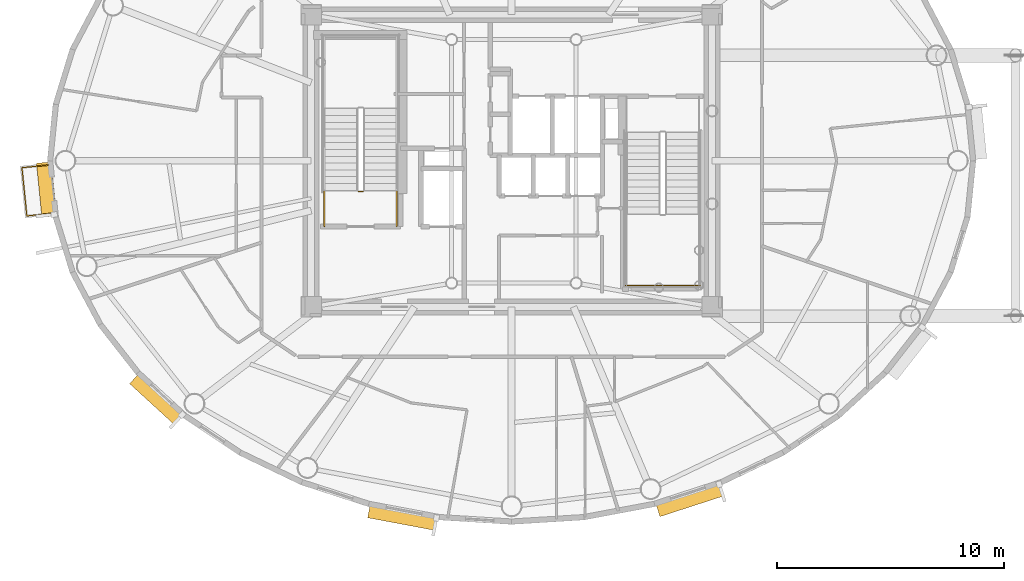
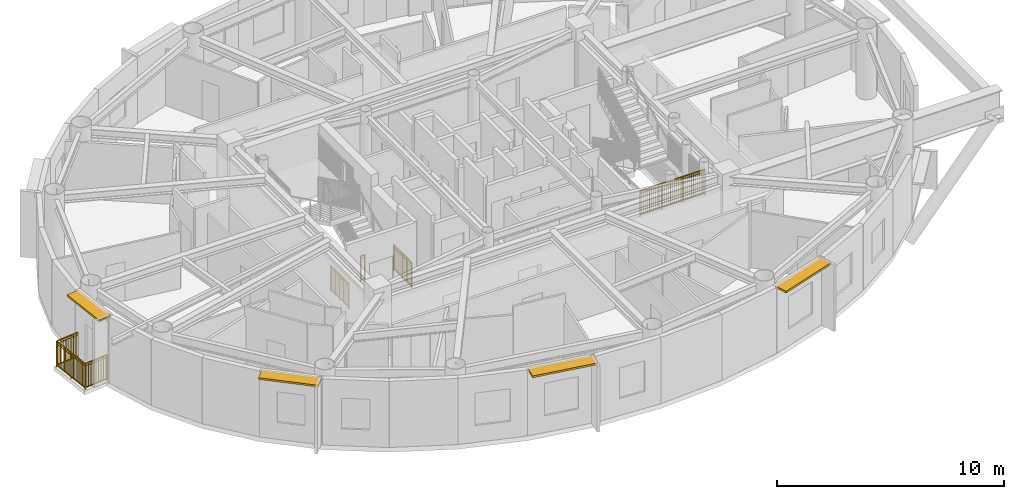
# One storey, part 11 of 17: 5 railings, 4 shading devices.
"""IFC4 building model written with IfcOpenShell, lengths in metres."""

from ifc_helpers import new_model, si_unit, direction, frame, origin, origin_2d, place, context, subcontext, project, spatial, rectangle, extrude, source, transform, mapped, material, layer, layer_set, type_object, element, save


model = new_model("IFC4")

# Units and contexts
model_context = context("Model", 3, precision=1e-05, world=origin(), true_north=direction((0.0, 1.0)))
body_context = subcontext(model_context, "Body", "Model", "MODEL_VIEW")
ifc_project = project(units=[si_unit("LENGTHUNIT", "METRE"), si_unit("AREAUNIT", "SQUARE_METRE"), si_unit("VOLUMEUNIT", "CUBIC_METRE"), si_unit("PLANEANGLEUNIT", "RADIAN"), si_unit("MASSUNIT", "GRAM", prefix="KILO")], contexts=[model_context])

# Site, building, storey
site_placement = place(None, origin())
site = spatial("IfcSite", under=ifc_project, at=site_placement, CompositionType="ELEMENT")
building_placement = place(site_placement, origin())
building = spatial("IfcBuilding", under=site, at=building_placement, Name="Linh Dai School and Residence Tower", CompositionType="ELEMENT")
storey_placement = place(building_placement, frame((0.0, 0.0, 335.39990234375)))
storey = spatial("IfcBuildingStorey", under=building, at=storey_placement, Name="L83", CompositionType="ELEMENT", Elevation=335.39990234375)

# Shading devices
ifc_material_1 = material(Name="Terracotta Ceramic Sunshade", Category="masonry")
ifc_layer = layer(ifc_material_1, 0.10009765625)
ifc_layer_set = layer_set([ifc_layer], Name="Terracotta Ceramic Sunshade")
shading_device_type = type_object("IfcShadingDeviceType", Name="SHD-TC-650", PredefinedType="USERDEFINED", material=ifc_layer_set)
shared_shape_1 = source(origin(), body_context, "Body", "SweptSolid", [
    extrude(rectangle(XDim=2.3994140625, YDim=0.64990234375, at=origin_2d()), origin(), (0.0, 0.0, 1.0), 0.10009765625),
])
shading_device_1_placement = place(storey_placement, frame((15.46630859375, 25.72802734375, 3.429931640625), z_axis=(0.0, 0.0, 1.0), x_axis=(-0.099991763355, 0.994988264886, 0.0)))
element("IfcShadingDevice", 1, at=shading_device_1_placement, inside=storey, type_object=shading_device_type, Name="L83 Terracotta Horizontal Sunshade Band 21", ObjectType="SUNSHADE", PredefinedType="USERDEFINED", context=body_context, shape_type="MappedRepresentation", body=[
    mapped(shared_shape_1, transform((0.0, 0.0, 0.0), x_axis=(1.0, 0.0, 0.0), y_axis=(0.0, 1.0, 0.0), z_axis=(0.0, 0.0, 1.0), scale=1.0)),
])
shared_shape_2 = source(origin(), body_context, "Body", "SweptSolid", [
    extrude(rectangle(XDim=2.7021484375, YDim=0.64990234375, at=origin_2d()), origin(), (0.0, 0.0, 1.0), 0.10009765625),
])
shading_device_2_placement = place(storey_placement, frame((20.3515625, 16.48681640625, 3.429931640625), z_axis=(0.0, 0.0, 1.0), x_axis=(-0.73704750866, 0.675840935412, 0.0)))
element("IfcShadingDevice", 2, at=shading_device_2_placement, inside=storey, type_object=shading_device_type, Name="L83 Terracotta Horizontal Sunshade Band 25", ObjectType="SUNSHADE", PredefinedType="USERDEFINED", context=body_context, shape_type="MappedRepresentation", body=[
    mapped(shared_shape_2, transform((0.0, 0.0, 0.0), x_axis=(1.0, 0.0, 0.0), y_axis=(0.0, 1.0, 0.0), z_axis=(0.0, 0.0, 1.0), scale=1.0)),
])
shared_shape_3 = source(origin(), body_context, "Body", "SweptSolid", [
    extrude(rectangle(XDim=3.040283203125, YDim=0.64990234375, at=origin_2d()), origin(), (0.0, 0.0, 1.0), 0.10009765625),
])
shading_device_3_placement = place(storey_placement, frame((31.199462890625, 11.279296875, 3.429931640625), z_axis=(0.0, 0.0, 1.0), x_axis=(-0.982779051851, 0.184784564405, 0.0)))
element("IfcShadingDevice", 3, at=shading_device_3_placement, inside=storey, type_object=shading_device_type, Name="L83 Terracotta Horizontal Sunshade Band 29", ObjectType="SUNSHADE", PredefinedType="USERDEFINED", context=body_context, shape_type="MappedRepresentation", body=[
    mapped(shared_shape_3, transform((0.0, 0.0, 0.0), x_axis=(1.0, 0.0, 0.0), y_axis=(0.0, 1.0, 0.0), z_axis=(0.0, 0.0, 1.0), scale=1.0)),
])
shared_shape_4 = source(origin(), body_context, "Body", "SweptSolid", [
    extrude(rectangle(XDim=2.98388671875, YDim=0.64990234375, at=origin_2d()), origin(), (0.0, 0.0, 1.0), 0.10009765625),
])
shading_device_4_placement = place(storey_placement, frame((43.8701171875, 12.060302734375, 3.429931640625), z_axis=(0.0, 0.0, 1.0), x_axis=(-0.951203168298, -0.30856528097, 0.0)))
element("IfcShadingDevice", 4, at=shading_device_4_placement, inside=storey, type_object=shading_device_type, Name="L83 Terracotta Horizontal Sunshade Band 33", ObjectType="SUNSHADE", PredefinedType="USERDEFINED", context=body_context, shape_type="MappedRepresentation", body=[
    mapped(shared_shape_4, transform((0.0, 0.0, 0.0), x_axis=(1.0, 0.0, 0.0), y_axis=(0.0, 1.0, 0.0), z_axis=(0.0, 0.0, 1.0), scale=1.0)),
])

# Railings
ifc_material_2 = material(Name="Structural Steel S355JR", Category="steel")
railing_type_1 = type_object("IfcRailingType", Name="RL-BAL-1400", PredefinedType="BALUSTRADE", material=ifc_material_2)
shared_shape_5 = source(origin(), body_context, "Body", "SweptSolid", [
    extrude(rectangle(XDim=0.048095703125, YDim=0.048095703125, at=origin_2d()), frame((0.0, 0.0, 1.3759765625), z_axis=(-0.994996143538, -0.099913334164, 0.0), x_axis=(0.099913334164, -0.994996143538, 0.0)), (0.0, 0.0, 1.0), 1.18017578125),
    extrude(rectangle(XDim=0.048095703125, YDim=0.048095703125, at=origin_2d()), frame((0.0, 0.0, 0.10009765625), z_axis=(-0.994996143538, -0.099913334164, 0.0), x_axis=(0.099913334164, -0.994996143538, 0.0)), (0.0, 0.0, 1.0), 1.18017578125),
    extrude(rectangle(XDim=0.030029296875, YDim=0.030029296875, at=origin_2d()), frame((0.0, 0.0, 1.239990234375), z_axis=(-0.994996143538, -0.099913334164, 0.0), x_axis=(0.099913334164, -0.994996143538, 0.0)), (0.0, 0.0, 1.0), 1.18017578125),
    extrude(rectangle(XDim=0.02001953125, YDim=0.02001953125, at=origin_2d()), frame((-0.09033203125, -0.009033203125, 0.10009765625)), (0.0, 0.0, 1.0), 1.251708984375),
    extrude(rectangle(XDim=0.02001953125, YDim=0.02001953125, at=origin_2d()), frame((-0.1806640625, -0.01806640625, 0.10009765625)), (0.0, 0.0, 1.0), 1.251708984375),
    extrude(rectangle(XDim=0.02001953125, YDim=0.02001953125, at=origin_2d()), frame((-0.27099609375, -0.027099609375, 0.10009765625)), (0.0, 0.0, 1.0), 1.251708984375),
    extrude(rectangle(XDim=0.02001953125, YDim=0.02001953125, at=origin_2d()), frame((-0.361328125, -0.036376953125, 0.10009765625)), (0.0, 0.0, 1.0), 1.251708984375),
    extrude(rectangle(XDim=0.02001953125, YDim=0.02001953125, at=origin_2d()), frame((-0.45166015625, -0.04541015625, 0.10009765625)), (0.0, 0.0, 1.0), 1.251708984375),
    extrude(rectangle(XDim=0.02001953125, YDim=0.02001953125, at=origin_2d()), frame((-0.5419921875, -0.054443359375, 0.10009765625)), (0.0, 0.0, 1.0), 1.251708984375),
    extrude(rectangle(XDim=0.02001953125, YDim=0.02001953125, at=origin_2d()), frame((-0.63232421875, -0.0634765625, 0.10009765625)), (0.0, 0.0, 1.0), 1.251708984375),
    extrude(rectangle(XDim=0.02001953125, YDim=0.02001953125, at=origin_2d()), frame((-0.72265625, -0.072509765625, 0.10009765625)), (0.0, 0.0, 1.0), 1.251708984375),
    extrude(rectangle(XDim=0.02001953125, YDim=0.02001953125, at=origin_2d()), frame((-0.81298828125, -0.08154296875, 0.10009765625)), (0.0, 0.0, 1.0), 1.251708984375),
    extrude(rectangle(XDim=0.02001953125, YDim=0.02001953125, at=origin_2d()), frame((-0.9033203125, -0.0908203125, 0.10009765625)), (0.0, 0.0, 1.0), 1.251708984375),
    extrude(rectangle(XDim=0.02001953125, YDim=0.02001953125, at=origin_2d()), frame((-0.99365234375, -0.099853515625, 0.10009765625)), (0.0, 0.0, 1.0), 1.251708984375),
    extrude(rectangle(XDim=0.02001953125, YDim=0.02001953125, at=origin_2d()), frame((-1.083984375, -0.10888671875, 0.10009765625)), (0.0, 0.0, 1.0), 1.251708984375),
    extrude(rectangle(XDim=0.048095703125, YDim=0.048095703125, at=origin_2d()), frame((-1.17431640625, -0.117919921875, 1.3759765625), z_axis=(-0.099978309742, 0.994989616821, 0.0), x_axis=(-0.994989616821, -0.099978309742, 0.0)), (0.0, 0.0, 1.0), 2.13916015625),
    extrude(rectangle(XDim=0.048095703125, YDim=0.048095703125, at=origin_2d()), frame((-1.17431640625, -0.117919921875, 0.10009765625), z_axis=(-0.099978309742, 0.994989616821, 0.0), x_axis=(-0.994989616821, -0.099978309742, 0.0)), (0.0, 0.0, 1.0), 2.13916015625),
    extrude(rectangle(XDim=0.030029296875, YDim=0.030029296875, at=origin_2d()), frame((-1.17431640625, -0.117919921875, 1.239990234375), z_axis=(-0.099978309742, 0.994989616821, 0.0), x_axis=(-0.994989616821, -0.099978309742, 0.0)), (0.0, 0.0, 1.0), 2.13916015625),
    extrude(rectangle(XDim=0.02001953125, YDim=0.02001953125, at=origin_2d()), frame((-1.18408203125, -0.021240234375, 0.10009765625)), (0.0, 0.0, 1.0), 1.251708984375),
    extrude(rectangle(XDim=0.02001953125, YDim=0.02001953125, at=origin_2d()), frame((-1.19384765625, 0.07568359375, 0.10009765625)), (0.0, 0.0, 1.0), 1.251708984375),
    extrude(rectangle(XDim=0.02001953125, YDim=0.02001953125, at=origin_2d()), frame((-1.203369140625, 0.17236328125, 0.10009765625)), (0.0, 0.0, 1.0), 1.251708984375),
    extrude(rectangle(XDim=0.02001953125, YDim=0.02001953125, at=origin_2d()), frame((-1.213134765625, 0.26904296875, 0.10009765625)), (0.0, 0.0, 1.0), 1.251708984375),
    extrude(rectangle(XDim=0.02001953125, YDim=0.02001953125, at=origin_2d()), frame((-1.222900390625, 0.36572265625, 0.10009765625)), (0.0, 0.0, 1.0), 1.251708984375),
    extrude(rectangle(XDim=0.02001953125, YDim=0.02001953125, at=origin_2d()), frame((-1.232666015625, 0.462646484375, 0.10009765625)), (0.0, 0.0, 1.0), 1.251708984375),
    extrude(rectangle(XDim=0.02001953125, YDim=0.02001953125, at=origin_2d()), frame((-1.242431640625, 0.559326171875, 0.10009765625)), (0.0, 0.0, 1.0), 1.251708984375),
    extrude(rectangle(XDim=0.02001953125, YDim=0.02001953125, at=origin_2d()), frame((-1.252197265625, 0.656005859375, 0.10009765625)), (0.0, 0.0, 1.0), 1.251708984375),
    extrude(rectangle(XDim=0.02001953125, YDim=0.02001953125, at=origin_2d()), frame((-1.26171875, 0.752685546875, 0.10009765625)), (0.0, 0.0, 1.0), 1.251708984375),
    extrude(rectangle(XDim=0.02001953125, YDim=0.02001953125, at=origin_2d()), frame((-1.271484375, 0.849609375, 0.10009765625)), (0.0, 0.0, 1.0), 1.251708984375),
    extrude(rectangle(XDim=0.02001953125, YDim=0.02001953125, at=origin_2d()), frame((-1.291015625, 1.04296875, 0.10009765625)), (0.0, 0.0, 1.0), 1.251708984375),
    extrude(rectangle(XDim=0.02001953125, YDim=0.02001953125, at=origin_2d()), frame((-1.30078125, 1.139892578125, 0.10009765625)), (0.0, 0.0, 1.0), 1.251708984375),
    extrude(rectangle(XDim=0.02001953125, YDim=0.02001953125, at=origin_2d()), frame((-1.310302734375, 1.236572265625, 0.10009765625)), (0.0, 0.0, 1.0), 1.251708984375),
    extrude(rectangle(XDim=0.02001953125, YDim=0.02001953125, at=origin_2d()), frame((-1.320068359375, 1.333251953125, 0.10009765625)), (0.0, 0.0, 1.0), 1.251708984375),
    extrude(rectangle(XDim=0.02001953125, YDim=0.02001953125, at=origin_2d()), frame((-1.329833984375, 1.429931640625, 0.10009765625)), (0.0, 0.0, 1.0), 1.251708984375),
    extrude(rectangle(XDim=0.02001953125, YDim=0.02001953125, at=origin_2d()), frame((-1.339599609375, 1.52685546875, 0.10009765625)), (0.0, 0.0, 1.0), 1.251708984375),
    extrude(rectangle(XDim=0.02001953125, YDim=0.02001953125, at=origin_2d()), frame((-1.349365234375, 1.62353515625, 0.10009765625)), (0.0, 0.0, 1.0), 1.251708984375),
    extrude(rectangle(XDim=0.02001953125, YDim=0.02001953125, at=origin_2d()), frame((-1.359130859375, 1.72021484375, 0.10009765625)), (0.0, 0.0, 1.0), 1.251708984375),
    extrude(rectangle(XDim=0.02001953125, YDim=0.02001953125, at=origin_2d()), frame((-1.36865234375, 1.81689453125, 0.10009765625)), (0.0, 0.0, 1.0), 1.251708984375),
    extrude(rectangle(XDim=0.02001953125, YDim=0.02001953125, at=origin_2d()), frame((-1.37841796875, 1.913818359375, 0.10009765625)), (0.0, 0.0, 1.0), 1.251708984375),
    extrude(rectangle(XDim=0.048095703125, YDim=0.048095703125, at=origin_2d()), frame((-1.38818359375, 2.010498046875, 1.3759765625), z_axis=(0.99497348416, 0.100138732862, 0.0), x_axis=(-0.100138732862, 0.99497348416, 0.0)), (0.0, 0.0, 1.0), 1.179931640625),
    extrude(rectangle(XDim=0.048095703125, YDim=0.048095703125, at=origin_2d()), frame((-1.38818359375, 2.010498046875, 0.10009765625), z_axis=(0.99497348416, 0.100138732862, 0.0), x_axis=(-0.100138732862, 0.99497348416, 0.0)), (0.0, 0.0, 1.0), 1.179931640625),
    extrude(rectangle(XDim=0.030029296875, YDim=0.030029296875, at=origin_2d()), frame((-1.38818359375, 2.010498046875, 1.239990234375), z_axis=(0.99497348416, 0.100138732862, 0.0), x_axis=(-0.100138732862, 0.99497348416, 0.0)), (0.0, 0.0, 1.0), 1.179931640625),
    extrude(rectangle(XDim=0.02001953125, YDim=0.02001953125, at=origin_2d()), frame((-1.2978515625, 2.01953125, 0.10009765625)), (0.0, 0.0, 1.0), 1.251708984375),
    extrude(rectangle(XDim=0.02001953125, YDim=0.02001953125, at=origin_2d()), frame((-1.20751953125, 2.028564453125, 0.10009765625)), (0.0, 0.0, 1.0), 1.251708984375),
    extrude(rectangle(XDim=0.02001953125, YDim=0.02001953125, at=origin_2d()), frame((-1.1171875, 2.037841796875, 0.10009765625)), (0.0, 0.0, 1.0), 1.251708984375),
    extrude(rectangle(XDim=0.02001953125, YDim=0.02001953125, at=origin_2d()), frame((-1.02685546875, 2.046875, 0.10009765625)), (0.0, 0.0, 1.0), 1.251708984375),
    extrude(rectangle(XDim=0.02001953125, YDim=0.02001953125, at=origin_2d()), frame((-0.9365234375, 2.055908203125, 0.10009765625)), (0.0, 0.0, 1.0), 1.251708984375),
    extrude(rectangle(XDim=0.02001953125, YDim=0.02001953125, at=origin_2d()), frame((-0.84619140625, 2.06494140625, 0.10009765625)), (0.0, 0.0, 1.0), 1.251708984375),
    extrude(rectangle(XDim=0.02001953125, YDim=0.02001953125, at=origin_2d()), frame((-0.756103515625, 2.07421875, 0.10009765625)), (0.0, 0.0, 1.0), 1.251708984375),
    extrude(rectangle(XDim=0.02001953125, YDim=0.02001953125, at=origin_2d()), frame((-0.665771484375, 2.083251953125, 0.10009765625)), (0.0, 0.0, 1.0), 1.251708984375),
    extrude(rectangle(XDim=0.02001953125, YDim=0.02001953125, at=origin_2d()), frame((-0.575439453125, 2.09228515625, 0.10009765625)), (0.0, 0.0, 1.0), 1.251708984375),
    extrude(rectangle(XDim=0.02001953125, YDim=0.02001953125, at=origin_2d()), frame((-0.485107421875, 2.101318359375, 0.10009765625)), (0.0, 0.0, 1.0), 1.251708984375),
    extrude(rectangle(XDim=0.02001953125, YDim=0.02001953125, at=origin_2d()), frame((-0.394775390625, 2.110595703125, 0.10009765625)), (0.0, 0.0, 1.0), 1.251708984375),
    extrude(rectangle(XDim=0.02001953125, YDim=0.02001953125, at=origin_2d()), frame((-0.304443359375, 2.11962890625, 0.10009765625)), (0.0, 0.0, 1.0), 1.251708984375),
    extrude(rectangle(XDim=0.0419921875, YDim=0.0419921875, at=origin_2d()), origin(), (0.0, 0.0, 1.0), 1.3759765625),
    extrude(rectangle(XDim=0.0419921875, YDim=0.0419921875, at=origin_2d()), frame((-1.17431640625, -0.117919921875, 0.0)), (0.0, 0.0, 1.0), 1.3759765625),
    extrude(rectangle(XDim=0.0419921875, YDim=0.0419921875, at=origin_2d()), frame((-1.28125, 0.9462890625, 0.0)), (0.0, 0.0, 1.0), 1.3759765625),
    extrude(rectangle(XDim=0.0419921875, YDim=0.0419921875, at=origin_2d()), frame((-1.38818359375, 2.010498046875, 0.0)), (0.0, 0.0, 1.0), 1.3759765625),
    extrude(rectangle(XDim=0.0419921875, YDim=0.0419921875, at=origin_2d()), frame((-0.214111328125, 2.128662109375, 0.0)), (0.0, 0.0, 1.0), 1.3759765625),
])
railing_1_placement = place(storey_placement, frame((15.7724609375, 24.683837890625, 0.0)))
element("IfcRailing", 5, at=railing_1_placement, inside=storey, type_object=railing_type_1, Name="L83 Balcony Safety Balustrade 21", PredefinedType="BALUSTRADE", context=body_context, shape_type="MappedRepresentation", body=[
    mapped(shared_shape_5, transform((0.0, 0.0, 0.0), x_axis=(1.0, 0.0, 0.0), y_axis=(0.0, 1.0, 0.0), z_axis=(0.0, 0.0, 1.0), scale=1.0)),
])
railing_type_2 = type_object("IfcRailingType", Name="RL-ST-GUARD-1400", PredefinedType="GUARDRAIL", material=ifc_material_2)
shared_shape_6 = source(origin(), body_context, "Body", "SweptSolid", [
    extrude(rectangle(XDim=0.048095703125, YDim=0.048095703125, at=origin_2d()), frame((0.0, 0.0, 1.3759765625), z_axis=(-1.0, 0.0, 0.0), x_axis=(0.0, -1.0, 0.0)), (0.0, 0.0, 1.0), 0.199951171875),
    extrude(rectangle(XDim=0.048095703125, YDim=0.048095703125, at=origin_2d()), frame((0.0, 0.0, 0.10009765625), z_axis=(-1.0, 0.0, 0.0), x_axis=(0.0, -1.0, 0.0)), (0.0, 0.0, 1.0), 0.199951171875),
    extrude(rectangle(XDim=0.030029296875, YDim=0.030029296875, at=origin_2d()), frame((0.0, 0.0, 1.239990234375), z_axis=(-1.0, 0.0, 0.0), x_axis=(0.0, -1.0, 0.0)), (0.0, 0.0, 1.0), 0.199951171875),
    extrude(rectangle(XDim=0.0419921875, YDim=0.0419921875, at=origin_2d()), origin(), (0.0, 0.0, 1.0), 1.3759765625),
    extrude(rectangle(XDim=0.0419921875, YDim=0.0419921875, at=origin_2d()), frame((-0.199951171875, 0.0, 0.0)), (0.0, 0.0, 1.0), 1.3759765625),
])
railing_2_placement = place(storey_placement, frame((29.429931640625, 25.64990234375, 0.0)))
element("IfcRailing", 6, at=railing_2_placement, inside=storey, type_object=railing_type_2, Name="L83 ST1 stair guard 7", PredefinedType="GUARDRAIL", context=body_context, shape_type="MappedRepresentation", body=[
    mapped(shared_shape_6, transform((0.0, 0.0, 0.0), x_axis=(1.0, 0.0, 0.0), y_axis=(0.0, 1.0, 0.0), z_axis=(0.0, 0.0, 1.0), scale=1.0)),
])
shared_shape_7 = source(origin(), body_context, "Body", "SweptSolid", [
    extrude(rectangle(XDim=0.048095703125, YDim=0.048095703125, at=origin_2d()), frame((0.0, 0.0, 1.3759765625), z_axis=(0.0, 1.0, 0.0), x_axis=(-1.0, 0.0, 0.0)), (0.0, 0.0, 1.0), 1.599853515625),
    extrude(rectangle(XDim=0.048095703125, YDim=0.048095703125, at=origin_2d()), frame((0.0, 0.0, 0.10009765625), z_axis=(0.0, 1.0, 0.0), x_axis=(-1.0, 0.0, 0.0)), (0.0, 0.0, 1.0), 1.599853515625),
    extrude(rectangle(XDim=0.030029296875, YDim=0.030029296875, at=origin_2d()), frame((0.0, 0.0, 1.239990234375), z_axis=(0.0, 1.0, 0.0), x_axis=(-1.0, 0.0, 0.0)), (0.0, 0.0, 1.0), 1.599853515625),
    extrude(rectangle(XDim=0.02001953125, YDim=0.02001953125, at=origin_2d()), frame((0.0, 0.093994140625, 0.10009765625)), (0.0, 0.0, 1.0), 1.251708984375),
    extrude(rectangle(XDim=0.02001953125, YDim=0.02001953125, at=origin_2d()), frame((0.0, 0.188232421875, 0.10009765625)), (0.0, 0.0, 1.0), 1.251708984375),
    extrude(rectangle(XDim=0.02001953125, YDim=0.02001953125, at=origin_2d()), frame((0.0, 0.2822265625, 0.10009765625)), (0.0, 0.0, 1.0), 1.251708984375),
    extrude(rectangle(XDim=0.02001953125, YDim=0.02001953125, at=origin_2d()), frame((0.0, 0.37646484375, 0.10009765625)), (0.0, 0.0, 1.0), 1.251708984375),
    extrude(rectangle(XDim=0.02001953125, YDim=0.02001953125, at=origin_2d()), frame((0.0, 0.470458984375, 0.10009765625)), (0.0, 0.0, 1.0), 1.251708984375),
    extrude(rectangle(XDim=0.02001953125, YDim=0.02001953125, at=origin_2d()), frame((0.0, 0.564697265625, 0.10009765625)), (0.0, 0.0, 1.0), 1.251708984375),
    extrude(rectangle(XDim=0.02001953125, YDim=0.02001953125, at=origin_2d()), frame((0.0, 0.65869140625, 0.10009765625)), (0.0, 0.0, 1.0), 1.251708984375),
    extrude(rectangle(XDim=0.02001953125, YDim=0.02001953125, at=origin_2d()), frame((0.0, 0.7529296875, 0.10009765625)), (0.0, 0.0, 1.0), 1.251708984375),
    extrude(rectangle(XDim=0.02001953125, YDim=0.02001953125, at=origin_2d()), frame((0.0, 0.846923828125, 0.10009765625)), (0.0, 0.0, 1.0), 1.251708984375),
    extrude(rectangle(XDim=0.02001953125, YDim=0.02001953125, at=origin_2d()), frame((0.0, 0.941162109375, 0.10009765625)), (0.0, 0.0, 1.0), 1.251708984375),
    extrude(rectangle(XDim=0.02001953125, YDim=0.02001953125, at=origin_2d()), frame((0.0, 1.03515625, 0.10009765625)), (0.0, 0.0, 1.0), 1.251708984375),
    extrude(rectangle(XDim=0.02001953125, YDim=0.02001953125, at=origin_2d()), frame((0.0, 1.12939453125, 0.10009765625)), (0.0, 0.0, 1.0), 1.251708984375),
    extrude(rectangle(XDim=0.02001953125, YDim=0.02001953125, at=origin_2d()), frame((0.0, 1.223388671875, 0.10009765625)), (0.0, 0.0, 1.0), 1.251708984375),
    extrude(rectangle(XDim=0.02001953125, YDim=0.02001953125, at=origin_2d()), frame((0.0, 1.317626953125, 0.10009765625)), (0.0, 0.0, 1.0), 1.251708984375),
    extrude(rectangle(XDim=0.02001953125, YDim=0.02001953125, at=origin_2d()), frame((0.0, 1.41162109375, 0.10009765625)), (0.0, 0.0, 1.0), 1.251708984375),
    extrude(rectangle(XDim=0.02001953125, YDim=0.02001953125, at=origin_2d()), frame((0.0, 1.505859375, 0.10009765625)), (0.0, 0.0, 1.0), 1.251708984375),
    extrude(rectangle(XDim=0.0419921875, YDim=0.0419921875, at=origin_2d()), origin(), (0.0, 0.0, 1.0), 1.3759765625),
    extrude(rectangle(XDim=0.0419921875, YDim=0.0419921875, at=origin_2d()), frame((0.0, 0.7998046875, 0.0)), (0.0, 0.0, 1.0), 1.3759765625),
    extrude(rectangle(XDim=0.0419921875, YDim=0.0419921875, at=origin_2d()), frame((0.0, 1.599853515625, 0.0)), (0.0, 0.0, 1.0), 1.3759765625),
])
for number, where, name in (
    (7, (30.929931640625, 24.10009765625, 0.0), "L83 ST1 stair guard 8"),
    (8, (27.72998046875, 24.10009765625, 0.0), "L83 ST1 stair guard 9"),
):
    element("IfcRailing", number, at=place(storey_placement, frame(where)), inside=storey, type_object=railing_type_2, Name=name, PredefinedType="GUARDRAIL", context=body_context, shape_type="MappedRepresentation", body=[
        mapped(shared_shape_7, transform((0.0, 0.0, 0.0), x_axis=(1.0, 0.0, 0.0), y_axis=(0.0, 1.0, 0.0), z_axis=(0.0, 0.0, 1.0), scale=1.0)),
    ])
shared_shape_8 = source(origin(), body_context, "Body", "SweptSolid", [
    extrude(rectangle(XDim=0.048095703125, YDim=0.048095703125, at=origin_2d()), frame((0.0, 0.0, 1.3759765625), z_axis=(1.0, 0.0, 0.0), x_axis=(0.0, 1.0, 0.0)), (0.0, 0.0, 1.0), 3.300048828125),
    extrude(rectangle(XDim=0.048095703125, YDim=0.048095703125, at=origin_2d()), frame((0.0, 0.0, 0.10009765625), z_axis=(1.0, 0.0, 0.0), x_axis=(0.0, 1.0, 0.0)), (0.0, 0.0, 1.0), 3.300048828125),
    extrude(rectangle(XDim=0.030029296875, YDim=0.030029296875, at=origin_2d()), frame((0.0, 0.0, 1.239990234375), z_axis=(1.0, 0.0, 0.0), x_axis=(0.0, 1.0, 0.0)), (0.0, 0.0, 1.0), 3.300048828125),
    extrude(rectangle(XDim=0.02001953125, YDim=0.02001953125, at=origin_2d()), frame((0.09716796875, 0.0, 0.10009765625)), (0.0, 0.0, 1.0), 1.251708984375),
    extrude(rectangle(XDim=0.02001953125, YDim=0.02001953125, at=origin_2d()), frame((0.194091796875, 0.0, 0.10009765625)), (0.0, 0.0, 1.0), 1.251708984375),
    extrude(rectangle(XDim=0.02001953125, YDim=0.02001953125, at=origin_2d()), frame((0.291259765625, 0.0, 0.10009765625)), (0.0, 0.0, 1.0), 1.251708984375),
    extrude(rectangle(XDim=0.02001953125, YDim=0.02001953125, at=origin_2d()), frame((0.38818359375, 0.0, 0.10009765625)), (0.0, 0.0, 1.0), 1.251708984375),
    extrude(rectangle(XDim=0.02001953125, YDim=0.02001953125, at=origin_2d()), frame((0.4853515625, 0.0, 0.10009765625)), (0.0, 0.0, 1.0), 1.251708984375),
    extrude(rectangle(XDim=0.02001953125, YDim=0.02001953125, at=origin_2d()), frame((0.582275390625, 0.0, 0.10009765625)), (0.0, 0.0, 1.0), 1.251708984375),
    extrude(rectangle(XDim=0.02001953125, YDim=0.02001953125, at=origin_2d()), frame((0.679443359375, 0.0, 0.10009765625)), (0.0, 0.0, 1.0), 1.251708984375),
    extrude(rectangle(XDim=0.02001953125, YDim=0.02001953125, at=origin_2d()), frame((0.7763671875, 0.0, 0.10009765625)), (0.0, 0.0, 1.0), 1.251708984375),
    extrude(rectangle(XDim=0.02001953125, YDim=0.02001953125, at=origin_2d()), frame((0.87353515625, 0.0, 0.10009765625)), (0.0, 0.0, 1.0), 1.251708984375),
    extrude(rectangle(XDim=0.02001953125, YDim=0.02001953125, at=origin_2d()), frame((0.970703125, 0.0, 0.10009765625)), (0.0, 0.0, 1.0), 1.251708984375),
    extrude(rectangle(XDim=0.02001953125, YDim=0.02001953125, at=origin_2d()), frame((1.164794921875, 0.0, 0.10009765625)), (0.0, 0.0, 1.0), 1.251708984375),
    extrude(rectangle(XDim=0.02001953125, YDim=0.02001953125, at=origin_2d()), frame((1.26171875, 0.0, 0.10009765625)), (0.0, 0.0, 1.0), 1.251708984375),
    extrude(rectangle(XDim=0.02001953125, YDim=0.02001953125, at=origin_2d()), frame((1.35888671875, 0.0, 0.10009765625)), (0.0, 0.0, 1.0), 1.251708984375),
    extrude(rectangle(XDim=0.02001953125, YDim=0.02001953125, at=origin_2d()), frame((1.455810546875, 0.0, 0.10009765625)), (0.0, 0.0, 1.0), 1.251708984375),
    extrude(rectangle(XDim=0.02001953125, YDim=0.02001953125, at=origin_2d()), frame((1.552978515625, 0.0, 0.10009765625)), (0.0, 0.0, 1.0), 1.251708984375),
    extrude(rectangle(XDim=0.02001953125, YDim=0.02001953125, at=origin_2d()), frame((1.64990234375, 0.0, 0.10009765625)), (0.0, 0.0, 1.0), 1.251708984375),
    extrude(rectangle(XDim=0.02001953125, YDim=0.02001953125, at=origin_2d()), frame((1.7470703125, 0.0, 0.10009765625)), (0.0, 0.0, 1.0), 1.251708984375),
    extrude(rectangle(XDim=0.02001953125, YDim=0.02001953125, at=origin_2d()), frame((1.84423828125, 0.0, 0.10009765625)), (0.0, 0.0, 1.0), 1.251708984375),
    extrude(rectangle(XDim=0.02001953125, YDim=0.02001953125, at=origin_2d()), frame((1.941162109375, 0.0, 0.10009765625)), (0.0, 0.0, 1.0), 1.251708984375),
    extrude(rectangle(XDim=0.02001953125, YDim=0.02001953125, at=origin_2d()), frame((2.038330078125, 0.0, 0.10009765625)), (0.0, 0.0, 1.0), 1.251708984375),
    extrude(rectangle(XDim=0.02001953125, YDim=0.02001953125, at=origin_2d()), frame((2.13525390625, 0.0, 0.10009765625)), (0.0, 0.0, 1.0), 1.251708984375),
    extrude(rectangle(XDim=0.02001953125, YDim=0.02001953125, at=origin_2d()), frame((2.329345703125, 0.0, 0.10009765625)), (0.0, 0.0, 1.0), 1.251708984375),
    extrude(rectangle(XDim=0.02001953125, YDim=0.02001953125, at=origin_2d()), frame((2.426513671875, 0.0, 0.10009765625)), (0.0, 0.0, 1.0), 1.251708984375),
    extrude(rectangle(XDim=0.02001953125, YDim=0.02001953125, at=origin_2d()), frame((2.523681640625, 0.0, 0.10009765625)), (0.0, 0.0, 1.0), 1.251708984375),
    extrude(rectangle(XDim=0.02001953125, YDim=0.02001953125, at=origin_2d()), frame((2.62060546875, 0.0, 0.10009765625)), (0.0, 0.0, 1.0), 1.251708984375),
    extrude(rectangle(XDim=0.02001953125, YDim=0.02001953125, at=origin_2d()), frame((2.7177734375, 0.0, 0.10009765625)), (0.0, 0.0, 1.0), 1.251708984375),
    extrude(rectangle(XDim=0.02001953125, YDim=0.02001953125, at=origin_2d()), frame((2.814697265625, 0.0, 0.10009765625)), (0.0, 0.0, 1.0), 1.251708984375),
    extrude(rectangle(XDim=0.02001953125, YDim=0.02001953125, at=origin_2d()), frame((2.911865234375, 0.0, 0.10009765625)), (0.0, 0.0, 1.0), 1.251708984375),
    extrude(rectangle(XDim=0.02001953125, YDim=0.02001953125, at=origin_2d()), frame((3.0087890625, 0.0, 0.10009765625)), (0.0, 0.0, 1.0), 1.251708984375),
    extrude(rectangle(XDim=0.02001953125, YDim=0.02001953125, at=origin_2d()), frame((3.10595703125, 0.0, 0.10009765625)), (0.0, 0.0, 1.0), 1.251708984375),
    extrude(rectangle(XDim=0.02001953125, YDim=0.02001953125, at=origin_2d()), frame((3.202880859375, 0.0, 0.10009765625)), (0.0, 0.0, 1.0), 1.251708984375),
    extrude(rectangle(XDim=0.0419921875, YDim=0.0419921875, at=origin_2d()), origin(), (0.0, 0.0, 1.0), 1.3759765625),
    extrude(rectangle(XDim=0.0419921875, YDim=0.0419921875, at=origin_2d()), frame((1.10009765625, 0.0, 0.0)), (0.0, 0.0, 1.0), 1.3759765625),
    extrude(rectangle(XDim=0.0419921875, YDim=0.0419921875, at=origin_2d()), frame((2.199951171875, 0.0, 0.0)), (0.0, 0.0, 1.0), 1.3759765625),
    extrude(rectangle(XDim=0.0419921875, YDim=0.0419921875, at=origin_2d()), frame((3.300048828125, 0.0, 0.0)), (0.0, 0.0, 1.0), 1.3759765625),
])
railing_3_placement = place(storey_placement, frame((41.02001953125, 21.5, 1.900146484375)))
element("IfcRailing", 9, at=railing_3_placement, inside=storey, type_object=railing_type_2, Name="L83 ST2 stair guard 5", PredefinedType="GUARDRAIL", context=body_context, shape_type="MappedRepresentation", body=[
    mapped(shared_shape_8, transform((0.0, 0.0, 0.0), x_axis=(1.0, 0.0, 0.0), y_axis=(0.0, 1.0, 0.0), z_axis=(0.0, 0.0, 1.0), scale=1.0)),
])

save(model, "model.ifc")
